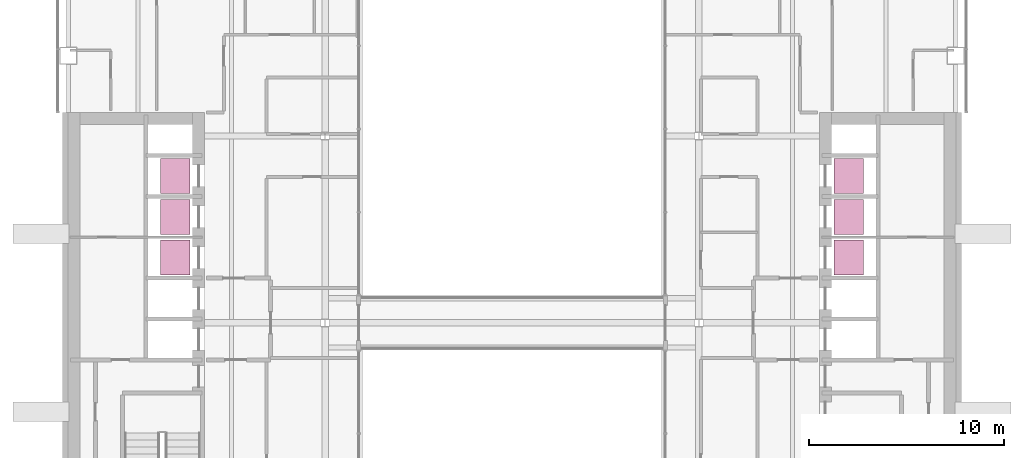
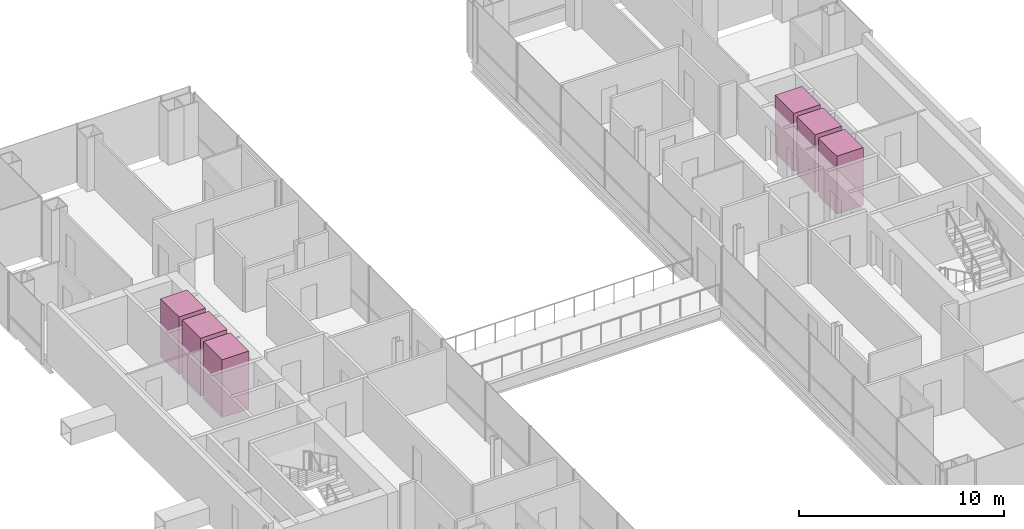
# One storey, part 17 of 17: 6 transport elements.
"""IFC4 building model written with IfcOpenShell, lengths in metres."""

from ifc_helpers import new_model, si_unit, direction, frame, origin, origin_2d, place, context, subcontext, project, spatial, rectangle, extrude, material, type_object, element, save


model = new_model("IFC4")

# Units and contexts
model_context = context("Model", 3, precision=1e-05, world=origin(), true_north=direction((0.0, 1.0)))
body_context = subcontext(model_context, "Body", "Model", "MODEL_VIEW")
ifc_project = project(units=[si_unit("LENGTHUNIT", "METRE"), si_unit("AREAUNIT", "SQUARE_METRE"), si_unit("VOLUMEUNIT", "CUBIC_METRE"), si_unit("PLANEANGLEUNIT", "RADIAN"), si_unit("MASSUNIT", "GRAM", prefix="KILO")], contexts=[model_context])

# Site, building, storey
site_placement = place(None, origin())
site = spatial("IfcSite", under=ifc_project, at=site_placement, CompositionType="ELEMENT")
building_placement = place(site_placement, origin())
building = spatial("IfcBuilding", under=site, at=building_placement, Name="Cobrizo Arcos Hotel Tower", CompositionType="ELEMENT")
storey_placement = place(building_placement, frame((0.0, 0.0, 134.5)))
storey = spatial("IfcBuildingStorey", under=building, at=storey_placement, Name="L34", CompositionType="ELEMENT", Elevation=134.5)

# Transport elements
ifc_material = material(Name="Stainless steel car", Category="steel")
transport_element_type = type_object("IfcTransportElementType", Name="Lift car Low 1.8x1.5", PredefinedType="ELEVATOR", material=ifc_material)
for number, where, z_axis, x_axis, name in (
    (1, (-17.300048828125, 3.35009765625, 0.0), (0.0, 0.0, 1.0), (1.0, 0.0, 0.0), "Low-rise passenger lift W1"),
    (2, (-17.300048828125, 5.449951171875, 0.0), (0.0, 0.0, 1.0), (1.0, 0.0, 0.0), "Low-rise passenger lift W2"),
    (3, (-17.300048828125, 7.550048828125, 0.0), (0.0, 0.0, 1.0), (1.0, 0.0, 0.0), "Low-rise passenger lift W3"),
    (4, (17.300048828125, 3.35009765625, 0.0), (0.0, 0.0, 1.0), (1.0, 0.0, 0.0), "Low-rise passenger lift E1"),
    (5, (17.300048828125, 5.449951171875, 0.0), (0.0, 0.0, 1.0), (1.0, 0.0, 0.0), "Low-rise passenger lift E2"),
    (6, (17.300048828125, 7.550048828125, 0.0), (0.0, 0.0, 1.0), (1.0, 0.0, 0.0), "Low-rise passenger lift E3"),
):
    element("IfcTransportElement", number, at=place(storey_placement, frame(where, z_axis=z_axis, x_axis=x_axis)), inside=storey, type_object=transport_element_type, Name=name, PredefinedType="ELEVATOR", context=body_context, shape_type="SweptSolid", body=[
        extrude(rectangle(XDim=1.5, YDim=1.800048828125, at=origin_2d()), origin(), (0.0, 0.0, 1.0), 3.449951171875),
    ])

save(model, "model.ifc")
